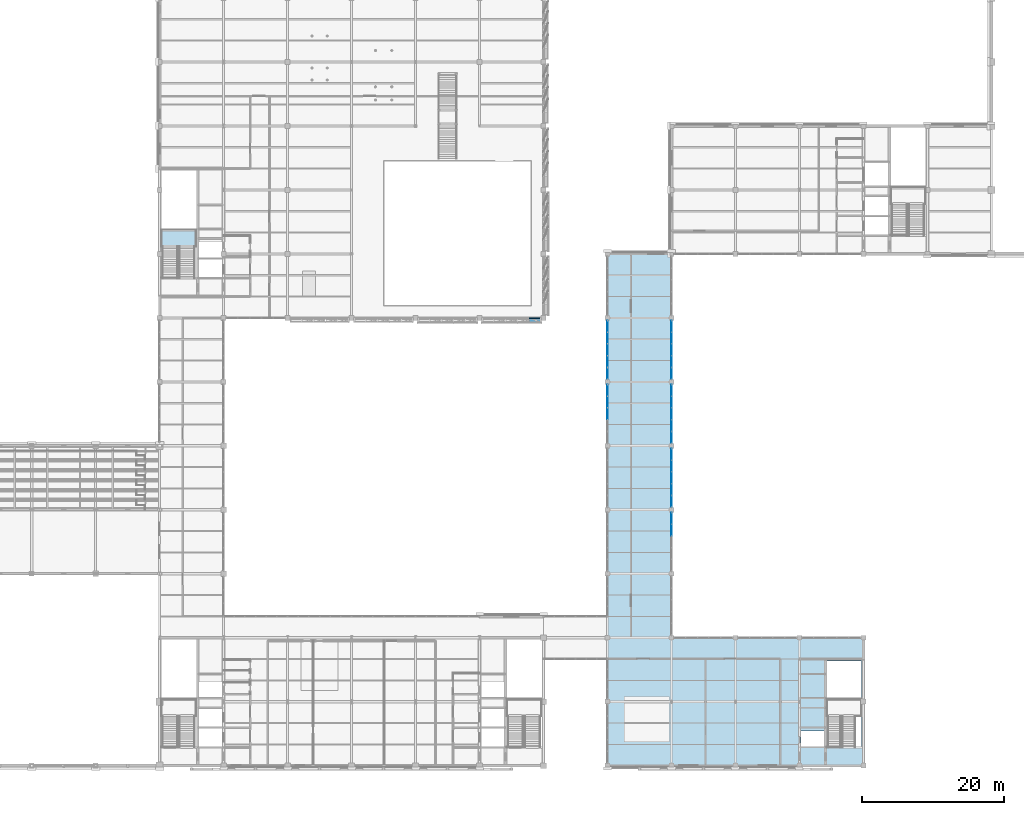
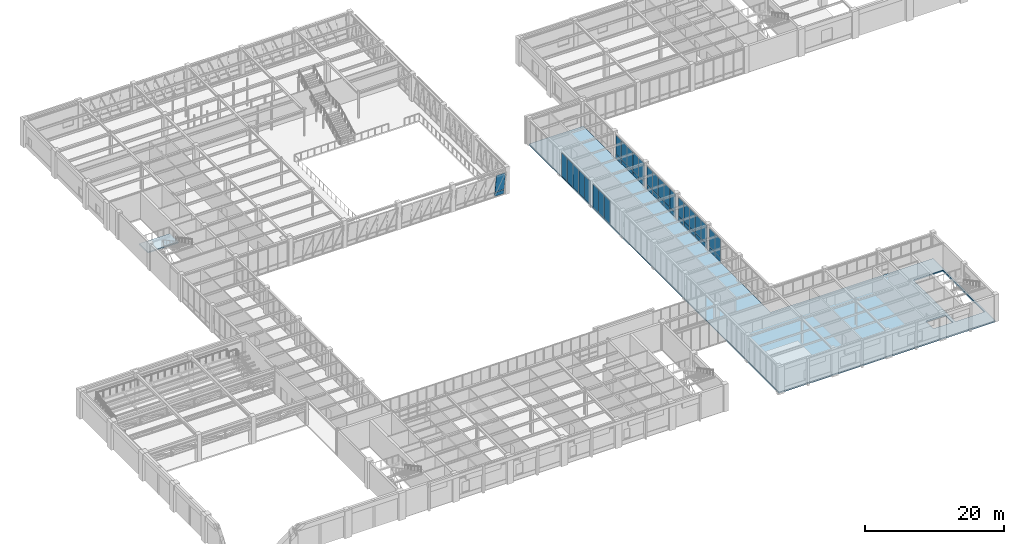
# One storey, part 72 of 92: 44 plates, 2 slabs, 1 opening, 8 elements without a shape of their own.
"""IFC4 building model written with IfcOpenShell, lengths in metres."""

import ifcopenshell
import ifcopenshell.guid

model = None  # the IFC model being written
_history = None  # IfcOwnerHistory: only IFC2X3 demands one
_inside = {}  # id of a spatial element -> (the spatial element, [elements in it])
_under = {}  # id of a project, library or spatial element -> (it, [spatial elements below it])
_declared = {}  # id of a project -> (the project, [libraries it declares])
_typed = {}  # id of a type object -> (the type object, [elements of that type])
_made_of = {}  # id of a material, layer set ... -> (it, [elements and type objects made of it])


def new_model(schema):
    """Start an empty IFC model of exactly this schema.

    Asked for "IFC4X3", IfcOpenShell would pick the latest addendum, in which some entities
    have other attributes; the version numbers below select the first issue.
    IFC2X3 requires an IfcOwnerHistory on every rooted entity: one is made here for all.
    """
    global model, _history
    if schema == "IFC4X3":
        model = ifcopenshell.file(schema_version=(4, 3, 0, 0))
    else:
        model = ifcopenshell.file(schema=schema)
    _inside.clear()
    _under.clear()
    _declared.clear()
    _typed.clear()
    _made_of.clear()
    _history = None
    if model.schema == "IFC2X3":
        org = make("IfcOrganization", Name="unknown")
        user = make(
            "IfcPersonAndOrganization",
            ThePerson=make("IfcPerson", FamilyName="unknown"),
            TheOrganization=org,
        )
        app = make(
            "IfcApplication",
            ApplicationDeveloper=org,
            Version="unknown",
            ApplicationFullName="unknown",
            ApplicationIdentifier="unknown",
        )
        _history = make(
            "IfcOwnerHistory",
            OwningUser=user,
            OwningApplication=app,
            ChangeAction="ADDED",
            CreationDate=0,
        )
    return model


def make(cls, **values):
    """One entity of the class cls with the attributes given. An attribute that is None is left unset."""
    return model.create_entity(
        cls, **{name: value for name, value in values.items() if value is not None}
    )


def rooted(cls, **values):
    """An entity with a GlobalId (a new one), such as an element, a storey or a relation."""
    return make(cls, GlobalId=ifcopenshell.guid.new(), OwnerHistory=_history, **values)


def si_unit(unit_type, name, prefix=None):
    """IfcSIUnit, for example si_unit("LENGTHUNIT", "METRE", prefix="MILLI")."""
    return make("IfcSIUnit", UnitType=unit_type, Prefix=prefix, Name=name)


def assignment(units):
    """IfcUnitAssignment: the units of a project."""
    return None if units is None else make("IfcUnitAssignment", Units=units)


def point(xyz):
    """IfcCartesianPoint."""
    return None if xyz is None else make("IfcCartesianPoint", Coordinates=xyz)


def direction(xyz):
    """IfcDirection."""
    return None if xyz is None else make("IfcDirection", DirectionRatios=xyz)


def frame(location, z_axis=None, x_axis=None):
    """IfcAxis2Placement3D, a coordinate frame: its origin and axes. An axis left out is left unset."""
    return make(
        "IfcAxis2Placement3D",
        Location=point(location),
        Axis=direction(z_axis),
        RefDirection=direction(x_axis),
    )


def frame_2d(location, x_axis=None):
    """IfcAxis2Placement2D, a coordinate frame in the plane: its origin and x axis."""
    return make(
        "IfcAxis2Placement2D", Location=point(location), RefDirection=direction(x_axis)
    )


def origin():
    """The frame at (0, 0, 0) with its axes left unset."""
    return frame((0.0, 0.0, 0.0))


def origin_2d():
    """The frame at (0, 0) in the plane with its x axis left unset."""
    return frame_2d((0.0, 0.0))


def place(relative_to, where):
    """IfcLocalPlacement: puts the frame where relative to a parent placement (None: the world)."""
    return make(
        "IfcLocalPlacement", PlacementRelTo=relative_to, RelativePlacement=where
    )


def context(
    kind, dimensions, precision=None, world=None, true_north=None, identifier=None
):
    """IfcGeometricRepresentationContext, for example the 3D "Model" context."""
    return make(
        "IfcGeometricRepresentationContext",
        ContextIdentifier=identifier,
        ContextType=kind,
        CoordinateSpaceDimension=dimensions,
        Precision=precision,
        WorldCoordinateSystem=world,
        TrueNorth=true_north,
    )


def subcontext(parent, identifier, kind, view, scale=None):
    """IfcGeometricRepresentationSubContext, for example "Body" below "Model"."""
    return make(
        "IfcGeometricRepresentationSubContext",
        ContextIdentifier=identifier,
        ContextType=kind,
        ParentContext=parent,
        TargetScale=scale,
        TargetView=view,
    )


def project(units=None, contexts=None):
    """IfcProject with its units and contexts."""
    return rooted(
        "IfcProject",
        Name="project",
        RepresentationContexts=contexts,
        UnitsInContext=assignment(units),
    )


def spatial(cls, under=None, at=None, **own):
    """A site, building, storey or space (cls), placed at a placement, below another one or the project."""
    s = rooted(cls, ObjectPlacement=at, **own)
    if under is not None:
        _under.setdefault(under.id(), (under, []))[1].append(s)
    return s


def polyline(points):
    """IfcPolyline through the points."""
    return make("IfcPolyline", Points=[point(p) for p in points])


def profile(cls, at=None, kind="AREA", **sizes):
    """A parametric profile (cls). Its sizes go by their IFC names, for example OverallWidth=200.0."""
    return make(cls, ProfileType=kind, Position=at, **sizes)


def rectangle(**sizes):
    """IfcRectangleProfileDef."""
    return profile("IfcRectangleProfileDef", **sizes)


def outline(outer, holes=None, kind="AREA"):
    """IfcArbitraryClosedProfileDef: a profile drawn as a closed curve; with holes, ...WithVoids."""
    if holes is None:
        return make("IfcArbitraryClosedProfileDef", ProfileType=kind, OuterCurve=outer)
    return make(
        "IfcArbitraryProfileDefWithVoids",
        ProfileType=kind,
        OuterCurve=outer,
        InnerCurves=holes,
    )


def extrude(swept, where, along, depth):
    """IfcExtrudedAreaSolid: the profile swept, set in the frame where, extruded along a direction by depth."""
    return make(
        "IfcExtrudedAreaSolid",
        SweptArea=swept,
        Position=where,
        ExtrudedDirection=direction(along),
        Depth=depth,
    )


def shape(context_of_items, identifier, shape_type, items):
    """IfcShapeRepresentation: the items that make up one representation, for example the "Body"."""
    return make(
        "IfcShapeRepresentation",
        ContextOfItems=context_of_items,
        RepresentationIdentifier=identifier,
        RepresentationType=shape_type,
        Items=items,
    )


def material(Name=None, Category=None):
    """IfcMaterial."""
    return make("IfcMaterial", Name=Name, Category=Category)


def layer(
    of_material, thickness, ventilated=None, Name=None, Category=None, Priority=None
):
    """IfcMaterialLayer: one layer of a wall or slab, of a material (None: an air gap)."""
    return make(
        "IfcMaterialLayer",
        Material=of_material,
        LayerThickness=thickness,
        IsVentilated=ventilated,
        Name=Name,
        Category=Category,
        Priority=Priority,
    )


def layer_set(layers, Name=None):
    """IfcMaterialLayerSet."""
    return make("IfcMaterialLayerSet", MaterialLayers=layers, LayerSetName=Name)


def made_of(thing, what):
    """Note that an element or type object is made of a material, layer set ...; save() writes the relation."""
    if what is not None:
        _made_of.setdefault(what.id(), (what, []))[1].append(thing)
    return thing


def type_object(cls, material=None, **own):
    """A type object (cls), such as IfcWallType, which elements share."""
    return made_of(rooted(cls, **own), material)


def element(
    cls,
    number,
    at=None,
    inside=None,
    cuts=None,
    type_object=None,
    material=None,
    context=None,
    identifier="Body",
    shape_type=None,
    held_by="IfcProductDefinitionShape",
    body=None,
    shapes=None,
    **own,
):
    """One element of the class cls, such as IfcWall. Its Tag is "e" and its number.

    at: its placement. inside: the storey or other place that contains it. cuts: it is an
    opening in that element (IfcRelVoidsElement). A single representation is given by context,
    identifier, shape_type and body (its items); several are given by shapes. held_by: the class
    of the entity that holds the representations. save() writes the other relations.
    """
    e = rooted(cls, Tag="e%d" % number, ObjectPlacement=at, **own)
    if body is not None:
        shapes = [shape(context, identifier, shape_type, body)]
    if shapes is not None:
        e.Representation = make(held_by, Representations=shapes)
    if inside is not None:
        _inside.setdefault(inside.id(), (inside, []))[1].append(e)
    if cuts is not None:
        rooted(
            "IfcRelVoidsElement", RelatingBuildingElement=cuts, RelatedOpeningElement=e
        )
    if type_object is not None:
        _typed.setdefault(type_object.id(), (type_object, []))[1].append(e)
    return made_of(e, material)


def aggregate(whole, parts):
    """IfcRelAggregates: a whole, such as a stair, and the parts it consists of."""
    return rooted("IfcRelAggregates", RelatingObject=whole, RelatedObjects=parts)


def save(model, path):
    """Write the relations noted so far, then the file.

    IfcRelAggregates (storeys below a building ...), IfcRelContainedInSpatialStructure (elements
    in a storey), IfcRelDefinesByType, IfcRelAssociatesMaterial and IfcRelDeclares: one each for
    every whole, place, type object, material and project.
    """
    for whole, parts in _under.values():
        aggregate(whole, parts)
    for where, things in _inside.values():
        rooted(
            "IfcRelContainedInSpatialStructure",
            RelatedElements=things,
            RelatingStructure=where,
        )
    for kind, things in _typed.values():
        rooted("IfcRelDefinesByType", RelatedObjects=things, RelatingType=kind)
    for what, things in _made_of.values():
        rooted("IfcRelAssociatesMaterial", RelatedObjects=things, RelatingMaterial=what)
    for by, libraries in _declared.values():
        rooted("IfcRelDeclares", RelatingContext=by, RelatedDefinitions=libraries)
    model.write(path)


model = new_model("IFC4")

# Units and contexts
model_context = context("Model", 3, precision=1e-05, world=origin(), true_north=direction((0.0, 1.0)))
body_context = subcontext(model_context, "Body", "Model", "MODEL_VIEW")
ifc_project = project(units=[si_unit("LENGTHUNIT", "METRE"), si_unit("AREAUNIT", "SQUARE_METRE"), si_unit("VOLUMEUNIT", "CUBIC_METRE"), si_unit("PLANEANGLEUNIT", "RADIAN"), si_unit("MASSUNIT", "GRAM", prefix="KILO")], contexts=[model_context])

# Site, building, storey
site_placement = place(None, origin())
site = spatial("IfcSite", under=ifc_project, at=site_placement, CompositionType="ELEMENT")
building_placement = place(site_placement, origin())
building = spatial("IfcBuilding", under=site, at=building_placement, Name="Lykobir Media Centre", CompositionType="ELEMENT")
storey_placement = place(building_placement, frame((0.0, 0.0, 5.39990234375)))
storey = spatial("IfcBuildingStorey", under=building, at=storey_placement, Name="L01", CompositionType="ELEMENT", Elevation=5.39990234375)

# Curtain wall, plates
ifc_material_1 = material(Name="Anodized Aluminium AW-6060", Category="aluminium")
curtain_wall_type_1 = type_object("IfcCurtainWallType", Name="CW-COURT-A", PredefinedType="NOTDEFINED", material=ifc_material_1)
curtain_wall_1_placement = place(storey_placement, origin())
curtain_wall_1 = element("IfcCurtainWall", 1, at=curtain_wall_1_placement, inside=storey, type_object=curtain_wall_type_1, Name="Curtain wall CW2-L01-0032", PredefinedType="NOTDEFINED")
ifc_material_2 = material(Name="Low-E Laminated Triple Glazing", Category="glass")
ifc_layer_1 = layer(ifc_material_2, 0.0380859375, Name="Low-E Laminated Triple Glazing")
ifc_layer_set_1 = layer_set([ifc_layer_1], Name="Low-E Laminated Triple Glazing")
plate_type_1 = type_object("IfcPlateType", Name="CWP-GLZ-38", PredefinedType="CURTAIN_PANEL", material=ifc_layer_set_1)
plate_1_placement = place(storey_placement, frame((99.0, 34.7998046875, 0.882568359375), z_axis=(0.0, 0.0, 1.0), x_axis=(0.0, -1.0, 0.0)))
plate_1 = element("IfcPlate", 2, at=plate_1_placement, type_object=plate_type_1, Name="CW2-L01-0032 panel 1.2", PredefinedType="CURTAIN_PANEL", context=body_context, shape_type="SweptSolid", body=[
    extrude(rectangle(XDim=1.560546875, YDim=0.0380859375, at=origin_2d()), origin(), (0.0, 0.0, 1.0), 3.24755859375),
])
plate_2_placement = place(storey_placement, frame((99.0, 33.157958984375, 0.882568359375), z_axis=(0.0, 0.0, 1.0), x_axis=(0.0, -1.0, 0.0)))
plate_2 = element("IfcPlate", 3, at=plate_2_placement, type_object=plate_type_1, Name="CW2-L01-0032 panel 2.2", PredefinedType="CURTAIN_PANEL", context=body_context, shape_type="SweptSolid", body=[
    extrude(rectangle(XDim=1.593017578125, YDim=0.0380859375, at=origin_2d()), origin(), (0.0, 0.0, 1.0), 3.24755859375),
])

curtain_wall_2_placement = place(storey_placement, origin())
curtain_wall_2 = element("IfcCurtainWall", 4, at=curtain_wall_2_placement, inside=storey, type_object=curtain_wall_type_1, Name="Curtain wall CW2-L01-0033", PredefinedType="NOTDEFINED")
plate_3_placement = place(storey_placement, frame((99.0, 43.7998046875, 0.882568359375), z_axis=(0.0, 0.0, 1.0), x_axis=(0.0, -1.0, 0.0)))
plate_3 = element("IfcPlate", 5, at=plate_3_placement, type_object=plate_type_1, Name="CW2-L01-0033 panel 1.2", PredefinedType="CURTAIN_PANEL", context=body_context, shape_type="SweptSolid", body=[
    extrude(rectangle(XDim=1.560546875, YDim=0.0380859375, at=origin_2d()), origin(), (0.0, 0.0, 1.0), 3.24755859375),
])
plate_4_placement = place(storey_placement, frame((99.0, 42.157958984375, 0.882568359375), z_axis=(0.0, 0.0, 1.0), x_axis=(0.0, -1.0, 0.0)))
plate_4 = element("IfcPlate", 6, at=plate_4_placement, type_object=plate_type_1, Name="CW2-L01-0033 panel 2.2", PredefinedType="CURTAIN_PANEL", context=body_context, shape_type="SweptSolid", body=[
    extrude(rectangle(XDim=1.593017578125, YDim=0.0380859375, at=origin_2d()), origin(), (0.0, 0.0, 1.0), 3.24755859375),
])
plate_5_placement = place(storey_placement, frame((99.0, 40.5, 0.882568359375), z_axis=(0.0, 0.0, 1.0), x_axis=(0.0, -1.0, 0.0)))
plate_5 = element("IfcPlate", 7, at=plate_5_placement, type_object=plate_type_1, Name="CW2-L01-0033 panel 3.2", PredefinedType="CURTAIN_PANEL", context=body_context, shape_type="SweptSolid", body=[
    extrude(rectangle(XDim=1.593017578125, YDim=0.0380859375, at=origin_2d()), origin(), (0.0, 0.0, 1.0), 3.24755859375),
])
plate_6_placement = place(storey_placement, frame((99.0, 38.842041015625, 0.882568359375), z_axis=(0.0, 0.0, 1.0), x_axis=(0.0, -1.0, 0.0)))
plate_6 = element("IfcPlate", 8, at=plate_6_placement, type_object=plate_type_1, Name="CW2-L01-0033 panel 4.2", PredefinedType="CURTAIN_PANEL", context=body_context, shape_type="SweptSolid", body=[
    extrude(rectangle(XDim=1.593017578125, YDim=0.0380859375, at=origin_2d()), origin(), (0.0, 0.0, 1.0), 3.24755859375),
])
plate_7_placement = place(storey_placement, frame((99.0, 37.2001953125, 0.882568359375), z_axis=(0.0, 0.0, 1.0), x_axis=(0.0, -1.0, 0.0)))
plate_7 = element("IfcPlate", 9, at=plate_7_placement, type_object=plate_type_1, Name="CW2-L01-0033 panel 5.2", PredefinedType="CURTAIN_PANEL", context=body_context, shape_type="SweptSolid", body=[
    extrude(rectangle(XDim=1.560546875, YDim=0.0380859375, at=origin_2d()), origin(), (0.0, 0.0, 1.0), 3.24755859375),
])

curtain_wall_3_placement = place(storey_placement, origin())
curtain_wall_3 = element("IfcCurtainWall", 10, at=curtain_wall_3_placement, inside=storey, type_object=curtain_wall_type_1, Name="Curtain wall CW2-L01-0034", PredefinedType="NOTDEFINED")
plate_8_placement = place(storey_placement, frame((99.0, 52.7998046875, 0.882568359375), z_axis=(0.0, 0.0, 1.0), x_axis=(0.0, -1.0, 0.0)))
plate_8 = element("IfcPlate", 11, at=plate_8_placement, type_object=plate_type_1, Name="CW2-L01-0034 panel 1.2", PredefinedType="CURTAIN_PANEL", context=body_context, shape_type="SweptSolid", body=[
    extrude(rectangle(XDim=1.560546875, YDim=0.0380859375, at=origin_2d()), origin(), (0.0, 0.0, 1.0), 3.24755859375),
])
plate_9_placement = place(storey_placement, frame((99.0, 51.157958984375, 0.882568359375), z_axis=(0.0, 0.0, 1.0), x_axis=(0.0, -1.0, 0.0)))
plate_9 = element("IfcPlate", 12, at=plate_9_placement, type_object=plate_type_1, Name="CW2-L01-0034 panel 2.2", PredefinedType="CURTAIN_PANEL", context=body_context, shape_type="SweptSolid", body=[
    extrude(rectangle(XDim=1.593017578125, YDim=0.0380859375, at=origin_2d()), origin(), (0.0, 0.0, 1.0), 3.24755859375),
])
plate_10_placement = place(storey_placement, frame((99.0, 49.5, 0.882568359375), z_axis=(0.0, 0.0, 1.0), x_axis=(0.0, -1.0, 0.0)))
plate_10 = element("IfcPlate", 13, at=plate_10_placement, type_object=plate_type_1, Name="CW2-L01-0034 panel 3.2", PredefinedType="CURTAIN_PANEL", context=body_context, shape_type="SweptSolid", body=[
    extrude(rectangle(XDim=1.593017578125, YDim=0.0380859375, at=origin_2d()), origin(), (0.0, 0.0, 1.0), 3.24755859375),
])
plate_11_placement = place(storey_placement, frame((99.0, 47.842041015625, 0.882568359375), z_axis=(0.0, 0.0, 1.0), x_axis=(0.0, -1.0, 0.0)))
plate_11 = element("IfcPlate", 14, at=plate_11_placement, type_object=plate_type_1, Name="CW2-L01-0034 panel 4.2", PredefinedType="CURTAIN_PANEL", context=body_context, shape_type="SweptSolid", body=[
    extrude(rectangle(XDim=1.593017578125, YDim=0.0380859375, at=origin_2d()), origin(), (0.0, 0.0, 1.0), 3.24755859375),
])
plate_12_placement = place(storey_placement, frame((99.0, 46.2001953125, 0.882568359375), z_axis=(0.0, 0.0, 1.0), x_axis=(0.0, -1.0, 0.0)))
plate_12 = element("IfcPlate", 15, at=plate_12_placement, type_object=plate_type_1, Name="CW2-L01-0034 panel 5.2", PredefinedType="CURTAIN_PANEL", context=body_context, shape_type="SweptSolid", body=[
    extrude(rectangle(XDim=1.560546875, YDim=0.0380859375, at=origin_2d()), origin(), (0.0, 0.0, 1.0), 3.24755859375),
])

curtain_wall_4_placement = place(storey_placement, origin())
curtain_wall_4 = element("IfcCurtainWall", 16, at=curtain_wall_4_placement, inside=storey, type_object=curtain_wall_type_1, Name="Curtain wall CW2-L01-0035", PredefinedType="NOTDEFINED")
plate_13_placement = place(storey_placement, frame((99.0, 61.7998046875, 0.882568359375), z_axis=(0.0, 0.0, 1.0), x_axis=(0.0, -1.0, 0.0)))
plate_13 = element("IfcPlate", 17, at=plate_13_placement, type_object=plate_type_1, Name="CW2-L01-0035 panel 1.2", PredefinedType="CURTAIN_PANEL", context=body_context, shape_type="SweptSolid", body=[
    extrude(rectangle(XDim=1.560546875, YDim=0.0380859375, at=origin_2d()), origin(), (0.0, 0.0, 1.0), 3.24755859375),
])
plate_14_placement = place(storey_placement, frame((99.0, 60.157958984375, 0.882568359375), z_axis=(0.0, 0.0, 1.0), x_axis=(0.0, -1.0, 0.0)))
plate_14 = element("IfcPlate", 18, at=plate_14_placement, type_object=plate_type_1, Name="CW2-L01-0035 panel 2.2", PredefinedType="CURTAIN_PANEL", context=body_context, shape_type="SweptSolid", body=[
    extrude(rectangle(XDim=1.593017578125, YDim=0.0380859375, at=origin_2d()), origin(), (0.0, 0.0, 1.0), 3.24755859375),
])
plate_15_placement = place(storey_placement, frame((99.0, 58.5, 0.882568359375), z_axis=(0.0, 0.0, 1.0), x_axis=(0.0, -1.0, 0.0)))
plate_15 = element("IfcPlate", 19, at=plate_15_placement, type_object=plate_type_1, Name="CW2-L01-0035 panel 3.2", PredefinedType="CURTAIN_PANEL", context=body_context, shape_type="SweptSolid", body=[
    extrude(rectangle(XDim=1.593017578125, YDim=0.0380859375, at=origin_2d()), origin(), (0.0, 0.0, 1.0), 3.24755859375),
])
plate_16_placement = place(storey_placement, frame((99.0, 56.842041015625, 0.882568359375), z_axis=(0.0, 0.0, 1.0), x_axis=(0.0, -1.0, 0.0)))
plate_16 = element("IfcPlate", 20, at=plate_16_placement, type_object=plate_type_1, Name="CW2-L01-0035 panel 4.2", PredefinedType="CURTAIN_PANEL", context=body_context, shape_type="SweptSolid", body=[
    extrude(rectangle(XDim=1.593017578125, YDim=0.0380859375, at=origin_2d()), origin(), (0.0, 0.0, 1.0), 3.24755859375),
])
plate_17_placement = place(storey_placement, frame((99.0, 55.2001953125, 0.882568359375), z_axis=(0.0, 0.0, 1.0), x_axis=(0.0, -1.0, 0.0)))
plate_17 = element("IfcPlate", 21, at=plate_17_placement, type_object=plate_type_1, Name="CW2-L01-0035 panel 5.2", PredefinedType="CURTAIN_PANEL", context=body_context, shape_type="SweptSolid", body=[
    extrude(rectangle(XDim=1.560546875, YDim=0.0380859375, at=origin_2d()), origin(), (0.0, 0.0, 1.0), 3.24755859375),
])

curtain_wall_type_2 = type_object("IfcCurtainWallType", Name="CW-BRIDGE", PredefinedType="NOTDEFINED", material=ifc_material_1)
curtain_wall_5_placement = place(storey_placement, origin())
curtain_wall_5 = element("IfcCurtainWall", 22, at=curtain_wall_5_placement, inside=storey, type_object=curtain_wall_type_2, Name="Curtain wall CW2-L01-0040", PredefinedType="NOTDEFINED")
plate_18_placement = place(storey_placement, frame((90.0, 49.5, 0.065185546875), z_axis=(0.0, 0.0, 1.0), x_axis=(0.0, 1.0, 0.0)))
plate_18 = element("IfcPlate", 23, at=plate_18_placement, type_object=plate_type_1, Name="CW2-L01-0040 panel 3.1", PredefinedType="CURTAIN_PANEL", context=body_context, shape_type="SweptSolid", body=[
    extrude(rectangle(XDim=1.593017578125, YDim=0.0380859375, at=origin_2d()), origin(), (0.0, 0.0, 1.0), 4.06494140625),
])
plate_19_placement = place(storey_placement, frame((90.0, 51.157958984375, 0.065185546875), z_axis=(0.0, 0.0, 1.0), x_axis=(0.0, 1.0, 0.0)))
plate_19 = element("IfcPlate", 24, at=plate_19_placement, type_object=plate_type_1, Name="CW2-L01-0040 panel 4.1", PredefinedType="CURTAIN_PANEL", context=body_context, shape_type="SweptSolid", body=[
    extrude(rectangle(XDim=1.593017578125, YDim=0.0380859375, at=origin_2d()), origin(), (0.0, 0.0, 1.0), 4.06494140625),
])
plate_20_placement = place(storey_placement, frame((90.0, 52.7998046875, 0.065185546875), z_axis=(0.0, 0.0, 1.0), x_axis=(0.0, 1.0, 0.0)))
plate_20 = element("IfcPlate", 25, at=plate_20_placement, type_object=plate_type_1, Name="CW2-L01-0040 panel 5.1", PredefinedType="CURTAIN_PANEL", context=body_context, shape_type="SweptSolid", body=[
    extrude(rectangle(XDim=1.560546875, YDim=0.0380859375, at=origin_2d()), origin(), (0.0, 0.0, 1.0), 4.06494140625),
])
aggregate(curtain_wall_5, [plate_18, plate_19, plate_20])

curtain_wall_6_placement = place(storey_placement, origin())
curtain_wall_6 = element("IfcCurtainWall", 26, at=curtain_wall_6_placement, inside=storey, type_object=curtain_wall_type_2, Name="Curtain wall CW2-L01-0041", PredefinedType="NOTDEFINED")
plate_21_placement = place(storey_placement, frame((90.0, 55.2001953125, 0.065185546875), z_axis=(0.0, 0.0, 1.0), x_axis=(0.0, 1.0, 0.0)))
plate_21 = element("IfcPlate", 27, at=plate_21_placement, type_object=plate_type_1, Name="CW2-L01-0041 panel 1.1", PredefinedType="CURTAIN_PANEL", context=body_context, shape_type="SweptSolid", body=[
    extrude(rectangle(XDim=1.560546875, YDim=0.0380859375, at=origin_2d()), origin(), (0.0, 0.0, 1.0), 4.06494140625),
])
plate_22_placement = place(storey_placement, frame((90.0, 56.842041015625, 0.065185546875), z_axis=(0.0, 0.0, 1.0), x_axis=(0.0, 1.0, 0.0)))
plate_22 = element("IfcPlate", 28, at=plate_22_placement, type_object=plate_type_1, Name="CW2-L01-0041 panel 2.1", PredefinedType="CURTAIN_PANEL", context=body_context, shape_type="SweptSolid", body=[
    extrude(rectangle(XDim=1.593017578125, YDim=0.0380859375, at=origin_2d()), origin(), (0.0, 0.0, 1.0), 4.06494140625),
])
plate_23_placement = place(storey_placement, frame((90.0, 58.5, 0.065185546875), z_axis=(0.0, 0.0, 1.0), x_axis=(0.0, 1.0, 0.0)))
plate_23 = element("IfcPlate", 29, at=plate_23_placement, type_object=plate_type_1, Name="CW2-L01-0041 panel 3.1", PredefinedType="CURTAIN_PANEL", context=body_context, shape_type="SweptSolid", body=[
    extrude(rectangle(XDim=1.593017578125, YDim=0.0380859375, at=origin_2d()), origin(), (0.0, 0.0, 1.0), 4.06494140625),
])
plate_24_placement = place(storey_placement, frame((90.0, 60.157958984375, 0.065185546875), z_axis=(0.0, 0.0, 1.0), x_axis=(0.0, 1.0, 0.0)))
plate_24 = element("IfcPlate", 30, at=plate_24_placement, type_object=plate_type_1, Name="CW2-L01-0041 panel 4.1", PredefinedType="CURTAIN_PANEL", context=body_context, shape_type="SweptSolid", body=[
    extrude(rectangle(XDim=1.593017578125, YDim=0.0380859375, at=origin_2d()), origin(), (0.0, 0.0, 1.0), 4.06494140625),
])
plate_25_placement = place(storey_placement, frame((90.0, 61.7998046875, 0.065185546875), z_axis=(0.0, 0.0, 1.0), x_axis=(0.0, 1.0, 0.0)))
plate_25 = element("IfcPlate", 31, at=plate_25_placement, type_object=plate_type_1, Name="CW2-L01-0041 panel 5.1", PredefinedType="CURTAIN_PANEL", context=body_context, shape_type="SweptSolid", body=[
    extrude(rectangle(XDim=1.560546875, YDim=0.0380859375, at=origin_2d()), origin(), (0.0, 0.0, 1.0), 4.06494140625),
])
aggregate(curtain_wall_6, [plate_21, plate_22, plate_23, plate_24, plate_25])

# Curtain wall, plate
curtain_wall_type_3 = type_object("IfcCurtainWallType", Name="CW-V6-CR1", PredefinedType="NOTDEFINED", material=ifc_material_1)
curtain_wall_7_placement = place(storey_placement, origin())
curtain_wall_7 = element("IfcCurtainWall", 32, at=curtain_wall_7_placement, inside=storey, type_object=curtain_wall_type_3, Name="Curtain wall CW2-L01-0057", PredefinedType="NOTDEFINED")
ifc_layer_2 = layer(ifc_material_2, 0.0439453125, Name="Low-E Laminated Triple Glazing")
ifc_layer_set_2 = layer_set([ifc_layer_2], Name="Low-E Laminated Triple Glazing")
plate_type_2 = type_object("IfcPlateType", Name="CWP-GLZ-44", PredefinedType="CURTAIN_PANEL", material=ifc_layer_set_2)
plate_26_placement = place(storey_placement, frame((79.797119140625, 62.873291015625, 0.87841796875), z_axis=(0.0, -0.142628933706, 0.989776230908), x_axis=(1.0, 0.0, 0.0)))
plate_26 = element("IfcPlate", 33, at=plate_26_placement, type_object=plate_type_2, Name="CW2-L01-0057 panel 5.2", PredefinedType="CURTAIN_PANEL", context=body_context, shape_type="SweptSolid", body=[
    extrude(rectangle(XDim=1.54541015625, YDim=0.0439453125, at=origin_2d()), origin(), (0.0, 0.0, 1.0), 3.27587890625),
])

# Plate
ifc_material_3 = material(Name="Glazed Turquoise Terracotta", Category="masonry")
ifc_layer_3 = layer(ifc_material_3, 0.06005859375, Name="Glazed Turquoise Terracotta")
ifc_layer_set_3 = layer_set([ifc_layer_3], Name="Glazed Turquoise Terracotta")
plate_type_3 = type_object("IfcPlateType", Name="CWP-SPN-60", PredefinedType="CURTAIN_PANEL", material=ifc_layer_set_3)
plate_27_placement = place(storey_placement, frame((99.0, 34.7998046875, 0.065185546875), z_axis=(0.0, 0.0, 1.0), x_axis=(0.0, -1.0, 0.0)))
plate_27 = element("IfcPlate", 34, at=plate_27_placement, type_object=plate_type_3, Name="CW2-L01-0032 panel 1.1", PredefinedType="CURTAIN_PANEL", context=body_context, shape_type="SweptSolid", body=[
    extrude(rectangle(XDim=1.560546875, YDim=0.06005859375, at=origin_2d()), origin(), (0.0, 0.0, 1.0), 0.75244140625),
])

plate_28_placement = place(storey_placement, frame((99.0, 33.157958984375, 0.065185546875), z_axis=(0.0, 0.0, 1.0), x_axis=(0.0, -1.0, 0.0)))
plate_28 = element("IfcPlate", 35, at=plate_28_placement, type_object=plate_type_3, Name="CW2-L01-0032 panel 2.1", PredefinedType="CURTAIN_PANEL", context=body_context, shape_type="SweptSolid", body=[
    extrude(rectangle(XDim=1.593017578125, YDim=0.06005859375, at=origin_2d()), origin(), (0.0, 0.0, 1.0), 0.75244140625),
])

aggregate(curtain_wall_1, [plate_27, plate_1, plate_28, plate_2])

plate_29_placement = place(storey_placement, frame((99.0, 43.7998046875, 0.065185546875), z_axis=(0.0, 0.0, 1.0), x_axis=(0.0, -1.0, 0.0)))
plate_29 = element("IfcPlate", 36, at=plate_29_placement, type_object=plate_type_3, Name="CW2-L01-0033 panel 1.1", PredefinedType="CURTAIN_PANEL", context=body_context, shape_type="SweptSolid", body=[
    extrude(rectangle(XDim=1.560546875, YDim=0.06005859375, at=origin_2d()), origin(), (0.0, 0.0, 1.0), 0.75244140625),
])

plate_30_placement = place(storey_placement, frame((99.0, 42.157958984375, 0.065185546875), z_axis=(0.0, 0.0, 1.0), x_axis=(0.0, -1.0, 0.0)))
plate_30 = element("IfcPlate", 37, at=plate_30_placement, type_object=plate_type_3, Name="CW2-L01-0033 panel 2.1", PredefinedType="CURTAIN_PANEL", context=body_context, shape_type="SweptSolid", body=[
    extrude(rectangle(XDim=1.593017578125, YDim=0.06005859375, at=origin_2d()), origin(), (0.0, 0.0, 1.0), 0.75244140625),
])

plate_31_placement = place(storey_placement, frame((99.0, 40.5, 0.065185546875), z_axis=(0.0, 0.0, 1.0), x_axis=(0.0, -1.0, 0.0)))
plate_31 = element("IfcPlate", 38, at=plate_31_placement, type_object=plate_type_3, Name="CW2-L01-0033 panel 3.1", PredefinedType="CURTAIN_PANEL", context=body_context, shape_type="SweptSolid", body=[
    extrude(rectangle(XDim=1.593017578125, YDim=0.06005859375, at=origin_2d()), origin(), (0.0, 0.0, 1.0), 0.75244140625),
])

plate_32_placement = place(storey_placement, frame((99.0, 38.842041015625, 0.065185546875), z_axis=(0.0, 0.0, 1.0), x_axis=(0.0, -1.0, 0.0)))
plate_32 = element("IfcPlate", 39, at=plate_32_placement, type_object=plate_type_3, Name="CW2-L01-0033 panel 4.1", PredefinedType="CURTAIN_PANEL", context=body_context, shape_type="SweptSolid", body=[
    extrude(rectangle(XDim=1.593017578125, YDim=0.06005859375, at=origin_2d()), origin(), (0.0, 0.0, 1.0), 0.75244140625),
])

plate_33_placement = place(storey_placement, frame((99.0, 37.2001953125, 0.065185546875), z_axis=(0.0, 0.0, 1.0), x_axis=(0.0, -1.0, 0.0)))
plate_33 = element("IfcPlate", 40, at=plate_33_placement, type_object=plate_type_3, Name="CW2-L01-0033 panel 5.1", PredefinedType="CURTAIN_PANEL", context=body_context, shape_type="SweptSolid", body=[
    extrude(rectangle(XDim=1.560546875, YDim=0.06005859375, at=origin_2d()), origin(), (0.0, 0.0, 1.0), 0.75244140625),
])

aggregate(curtain_wall_2, [plate_29, plate_3, plate_30, plate_4, plate_31, plate_5, plate_32, plate_6, plate_33, plate_7])

plate_34_placement = place(storey_placement, frame((99.0, 52.7998046875, 0.065185546875), z_axis=(0.0, 0.0, 1.0), x_axis=(0.0, -1.0, 0.0)))
plate_34 = element("IfcPlate", 41, at=plate_34_placement, type_object=plate_type_3, Name="CW2-L01-0034 panel 1.1", PredefinedType="CURTAIN_PANEL", context=body_context, shape_type="SweptSolid", body=[
    extrude(rectangle(XDim=1.560546875, YDim=0.06005859375, at=origin_2d()), origin(), (0.0, 0.0, 1.0), 0.75244140625),
])

plate_35_placement = place(storey_placement, frame((99.0, 51.157958984375, 0.065185546875), z_axis=(0.0, 0.0, 1.0), x_axis=(0.0, -1.0, 0.0)))
plate_35 = element("IfcPlate", 42, at=plate_35_placement, type_object=plate_type_3, Name="CW2-L01-0034 panel 2.1", PredefinedType="CURTAIN_PANEL", context=body_context, shape_type="SweptSolid", body=[
    extrude(rectangle(XDim=1.593017578125, YDim=0.06005859375, at=origin_2d()), origin(), (0.0, 0.0, 1.0), 0.75244140625),
])

plate_36_placement = place(storey_placement, frame((99.0, 49.5, 0.065185546875), z_axis=(0.0, 0.0, 1.0), x_axis=(0.0, -1.0, 0.0)))
plate_36 = element("IfcPlate", 43, at=plate_36_placement, type_object=plate_type_3, Name="CW2-L01-0034 panel 3.1", PredefinedType="CURTAIN_PANEL", context=body_context, shape_type="SweptSolid", body=[
    extrude(rectangle(XDim=1.593017578125, YDim=0.06005859375, at=origin_2d()), origin(), (0.0, 0.0, 1.0), 0.75244140625),
])

plate_37_placement = place(storey_placement, frame((99.0, 47.842041015625, 0.065185546875), z_axis=(0.0, 0.0, 1.0), x_axis=(0.0, -1.0, 0.0)))
plate_37 = element("IfcPlate", 44, at=plate_37_placement, type_object=plate_type_3, Name="CW2-L01-0034 panel 4.1", PredefinedType="CURTAIN_PANEL", context=body_context, shape_type="SweptSolid", body=[
    extrude(rectangle(XDim=1.593017578125, YDim=0.06005859375, at=origin_2d()), origin(), (0.0, 0.0, 1.0), 0.75244140625),
])

plate_38_placement = place(storey_placement, frame((99.0, 46.2001953125, 0.065185546875), z_axis=(0.0, 0.0, 1.0), x_axis=(0.0, -1.0, 0.0)))
plate_38 = element("IfcPlate", 45, at=plate_38_placement, type_object=plate_type_3, Name="CW2-L01-0034 panel 5.1", PredefinedType="CURTAIN_PANEL", context=body_context, shape_type="SweptSolid", body=[
    extrude(rectangle(XDim=1.560546875, YDim=0.06005859375, at=origin_2d()), origin(), (0.0, 0.0, 1.0), 0.75244140625),
])

aggregate(curtain_wall_3, [plate_34, plate_8, plate_35, plate_9, plate_36, plate_10, plate_37, plate_11, plate_38, plate_12])

plate_39_placement = place(storey_placement, frame((99.0, 61.7998046875, 0.065185546875), z_axis=(0.0, 0.0, 1.0), x_axis=(0.0, -1.0, 0.0)))
plate_39 = element("IfcPlate", 46, at=plate_39_placement, type_object=plate_type_3, Name="CW2-L01-0035 panel 1.1", PredefinedType="CURTAIN_PANEL", context=body_context, shape_type="SweptSolid", body=[
    extrude(rectangle(XDim=1.560546875, YDim=0.06005859375, at=origin_2d()), origin(), (0.0, 0.0, 1.0), 0.75244140625),
])

plate_40_placement = place(storey_placement, frame((99.0, 60.157958984375, 0.065185546875), z_axis=(0.0, 0.0, 1.0), x_axis=(0.0, -1.0, 0.0)))
plate_40 = element("IfcPlate", 47, at=plate_40_placement, type_object=plate_type_3, Name="CW2-L01-0035 panel 2.1", PredefinedType="CURTAIN_PANEL", context=body_context, shape_type="SweptSolid", body=[
    extrude(rectangle(XDim=1.593017578125, YDim=0.06005859375, at=origin_2d()), origin(), (0.0, 0.0, 1.0), 0.75244140625),
])

plate_41_placement = place(storey_placement, frame((99.0, 58.5, 0.065185546875), z_axis=(0.0, 0.0, 1.0), x_axis=(0.0, -1.0, 0.0)))
plate_41 = element("IfcPlate", 48, at=plate_41_placement, type_object=plate_type_3, Name="CW2-L01-0035 panel 3.1", PredefinedType="CURTAIN_PANEL", context=body_context, shape_type="SweptSolid", body=[
    extrude(rectangle(XDim=1.593017578125, YDim=0.06005859375, at=origin_2d()), origin(), (0.0, 0.0, 1.0), 0.75244140625),
])

plate_42_placement = place(storey_placement, frame((99.0, 56.842041015625, 0.065185546875), z_axis=(0.0, 0.0, 1.0), x_axis=(0.0, -1.0, 0.0)))
plate_42 = element("IfcPlate", 49, at=plate_42_placement, type_object=plate_type_3, Name="CW2-L01-0035 panel 4.1", PredefinedType="CURTAIN_PANEL", context=body_context, shape_type="SweptSolid", body=[
    extrude(rectangle(XDim=1.593017578125, YDim=0.06005859375, at=origin_2d()), origin(), (0.0, 0.0, 1.0), 0.75244140625),
])

plate_43_placement = place(storey_placement, frame((99.0, 55.2001953125, 0.065185546875), z_axis=(0.0, 0.0, 1.0), x_axis=(0.0, -1.0, 0.0)))
plate_43 = element("IfcPlate", 50, at=plate_43_placement, type_object=plate_type_3, Name="CW2-L01-0035 panel 5.1", PredefinedType="CURTAIN_PANEL", context=body_context, shape_type="SweptSolid", body=[
    extrude(rectangle(XDim=1.560546875, YDim=0.06005859375, at=origin_2d()), origin(), (0.0, 0.0, 1.0), 0.75244140625),
])

aggregate(curtain_wall_4, [plate_39, plate_13, plate_40, plate_14, plate_41, plate_15, plate_42, plate_16, plate_43, plate_17])

plate_44_placement = place(storey_placement, frame((79.797119140625, 62.9892578125, 0.07421875), z_axis=(0.0, -0.142628933706, 0.989776230908), x_axis=(1.0, 0.0, 0.0)))
plate_44 = element("IfcPlate", 51, at=plate_44_placement, type_object=plate_type_3, Name="CW2-L01-0057 panel 5.1", PredefinedType="CURTAIN_PANEL", context=body_context, shape_type="SweptSolid", body=[
    extrude(rectangle(XDim=1.54541015625, YDim=0.06005859375, at=origin_2d()), origin(), (0.0, 0.0, 1.0), 0.737548828125),
])

aggregate(curtain_wall_7, [plate_44, plate_26])

# Slab, opening
ifc_material_4 = material(Name="Concrete C30/37", Category="concrete")
ifc_layer_4 = layer(ifc_material_4, 0.239990234375, Name="Concrete C30/37")
ifc_layer_set_4 = layer_set([ifc_layer_4], Name="Concrete C30/37")
slab_type_1 = type_object("IfcSlabType", Name="FS-240", PredefinedType="FLOOR", material=ifc_layer_set_4)
slab_1_placement = place(storey_placement, frame((0.0, 0.0, -0.239990234375)))
slab_1 = element("IfcSlab", 52, at=slab_1_placement, inside=storey, type_object=slab_type_1, Name="L01 structural slab 3", PredefinedType="FLOOR", context=body_context, shape_type="SweptSolid", body=[
    extrude(outline(polyline([(99.0, 18.0), (99.0, 72.0), (90.0, 72.0), (90.0, 18.0), (90.0, 0.0), (126.0, 0.0), (126.0, 18.0), (99.0, 18.0)]), holes=[polyline([(125.75, 2.64990234375), (120.85009765625, 2.64990234375), (120.85009765625, 14.75), (125.75, 14.75), (125.75, 2.64990234375)])]), origin(), (0.0, 0.0, 1.0), 0.239990234375),
])
opening_placement = place(slab_1_placement, frame((118.85009765625, 3.800048828125, 0.0)))
element("IfcOpeningElement", 53, at=opening_placement, cuts=slab_1, Name="Shaft opening C5-riser_shaft-L01", PredefinedType="OPENING", context=body_context, shape_type="SweptSolid", body=[
    extrude(rectangle(XDim=3.199951171875, YDim=2.199951171875, at=origin_2d()), origin(), (0.0, 0.0, 1.0), 0.239990234375),
])

# Stair, slab
stair_type = type_object("IfcStairType", Name="ST-HT-480", PredefinedType="HALF_TURN_STAIR", material=ifc_material_4)
stair_placement = place(storey_placement, origin())
stair = element("IfcStair", 54, at=stair_placement, inside=storey, type_object=stair_type, Name="Escape stair ST-3 L01", PredefinedType="HALF_TURN_STAIR")
ifc_layer_5 = layer(ifc_material_4, 0.195068359375, Name="Concrete C30/37")
ifc_layer_set_5 = layer_set([ifc_layer_5], Name="Concrete C30/37")
slab_type_2 = type_object("IfcSlabType", Name="SL-195", PredefinedType="LANDING", material=ifc_layer_set_5)
slab_2_placement = place(storey_placement, frame((0.0, 0.0, 2.205078125)))
slab_2 = element("IfcSlab", 55, at=slab_2_placement, type_object=slab_type_2, Name="ST-3-L01 landing 1", PredefinedType="LANDING", context=body_context, shape_type="SweptSolid", body=[
    extrude(outline(polyline([(27.1298828125, 72.949951171875), (32.27001953125, 72.949951171875), (32.27001953125, 75.429931640625), (27.1298828125, 75.429931640625), (27.1298828125, 72.949951171875)])), origin(), (0.0, 0.0, 1.0), 0.195068359375),
])
aggregate(stair, [slab_2])

save(model, "model.ifc")
